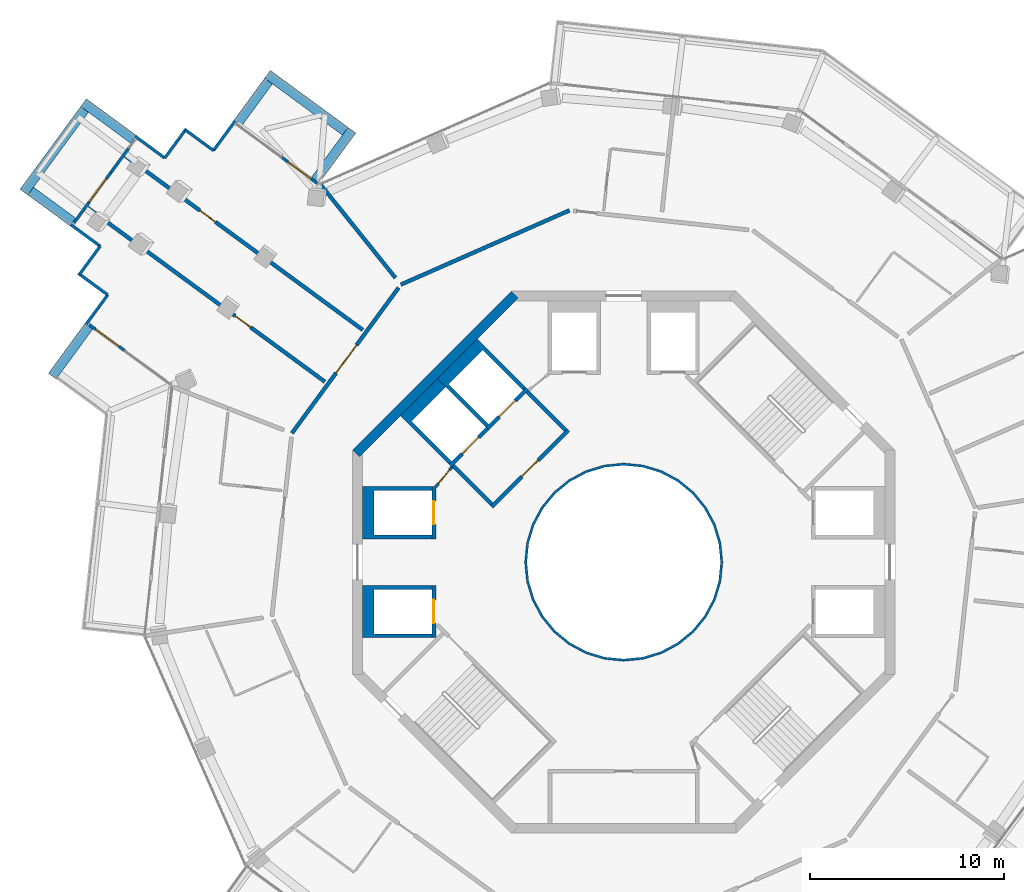
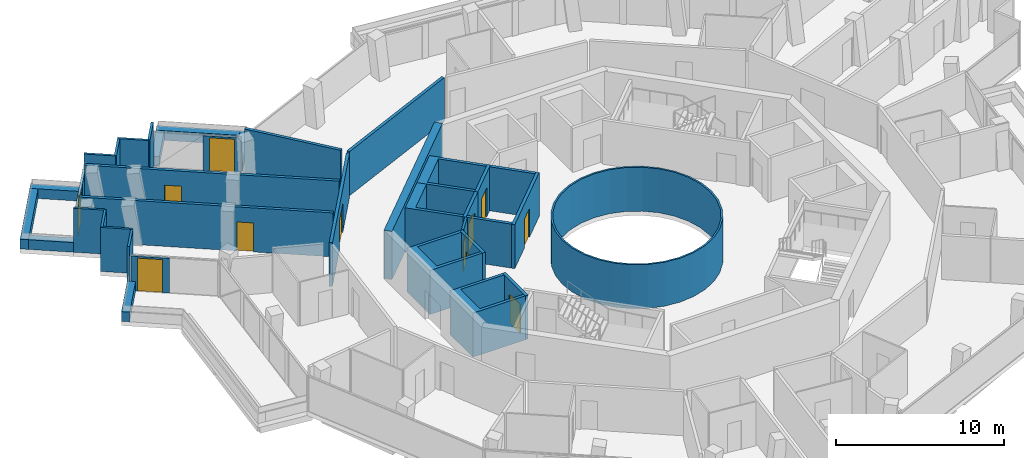
# One storey, part 17 of 22: 38 walls, 12 doors, 12 openings.
"""IFC4 building model written with IfcOpenShell, lengths in metres."""

from ifc_helpers import new_model, si_unit, direction, frame, frame_2d, origin, place, context, subcontext, project, spatial, polyline, rectangle, outline, extrude, material, layer, layer_set, type_object, element, fill, save


model = new_model("IFC4")

# Units and contexts
model_context = context("Model", 3, precision=1e-05, world=origin(), true_north=direction((0.0, 1.0)))
body_context = subcontext(model_context, "Body", "Model", "MODEL_VIEW")
ifc_project = project(units=[si_unit("LENGTHUNIT", "METRE"), si_unit("AREAUNIT", "SQUARE_METRE"), si_unit("VOLUMEUNIT", "CUBIC_METRE"), si_unit("PLANEANGLEUNIT", "RADIAN"), si_unit("MASSUNIT", "GRAM", prefix="KILO")], contexts=[model_context])

# Site, building, storey
site_placement = place(None, origin())
site = spatial("IfcSite", under=ifc_project, at=site_placement, CompositionType="ELEMENT")
building_placement = place(site_placement, origin())
building = spatial("IfcBuilding", under=site, at=building_placement, Name="Verdalira Terraces Hotel", CompositionType="ELEMENT")
storey_placement = place(building_placement, frame((0.0, 0.0, 252.5)))
storey = spatial("IfcBuildingStorey", under=building, at=storey_placement, Name="L62", CompositionType="ELEMENT", Elevation=252.5)

# Walls
ifc_material_1 = material(Name="Fire-resisting glass EI 180", Category="glass")
ifc_layer_1 = layer(ifc_material_1, 0.1201171875)
ifc_layer_set_1 = layer_set([ifc_layer_1], Name="Atrium fire screen 120 mm")
wall_type_1 = type_object("IfcWallType", Name="Atrium fire screen 120 mm", PredefinedType="SOLIDWALL", material=ifc_layer_set_1)
wall_1_placement = place(storey_placement, origin())
element("IfcWall", 1, at=wall_1_placement, inside=storey, type_object=wall_type_1, Name="Atrium fire screen", PredefinedType="SOLIDWALL", context=body_context, shape_type="SweptSolid", body=[
    extrude(outline(polyline([(5.021484, -0.998779), (4.730225, -1.959229), (4.25708, -2.844482), (3.620361, -3.620361), (2.844482, -4.25708), (1.959229, -4.730225), (0.998779, -5.021484), (0.0, -5.120117), (-0.998779, -5.021484), (-1.959229, -4.730225), (-2.844482, -4.25708), (-3.620361, -3.620361), (-4.25708, -2.844482), (-4.730225, -1.959229), (-5.021484, -0.998779), (-5.120117, 0.0), (-5.021484, 0.998779), (-4.730225, 1.959229), (-4.25708, 2.844482), (-3.620361, 3.620361), (-2.844482, 4.25708), (-1.959229, 4.730225), (-0.998779, 5.021484), (0.0, 5.120117), (0.998779, 5.021484), (1.959229, 4.730225), (2.844482, 4.25708), (3.620361, 3.620361), (4.25708, 2.844482), (4.730225, 1.959229), (5.021484, 0.998779), (5.120117, 0.0), (5.021484, -0.998779)]), holes=[polyline([(4.903809, 0.975586), (4.619385, 1.91333), (4.157227, 2.777832), (3.5354, 3.5354), (2.777832, 4.157227), (1.91333, 4.619385), (0.975586, 4.903809), (0.0, 5.0), (-0.975586, 4.903809), (-1.91333, 4.619385), (-2.777832, 4.157227), (-3.5354, 3.5354), (-4.157227, 2.777832), (-4.619385, 1.91333), (-4.903809, 0.975586), (-5.0, 0.0), (-4.903809, -0.975586), (-4.619385, -1.91333), (-4.157227, -2.777832), (-3.5354, -3.5354), (-2.777832, -4.157227), (-1.91333, -4.619385), (-0.975586, -4.903809), (0.0, -5.0), (0.975586, -4.903809), (1.91333, -4.619385), (2.777832, -4.157227), (3.5354, -3.5354), (4.157227, -2.777832), (4.619385, -1.91333), (4.903809, -0.975586), (5.0, 0.0), (4.903809, 0.975586)])]), origin(), (0.0, 0.0, 1.0), 3.189941),
])
ifc_material_2 = material(Name="Concrete C40", Category="concrete")
ifc_layer_2 = layer(ifc_material_2, 0.5)
ifc_layer_set_2 = layer_set([ifc_layer_2], Name="Balcony planter trough with tree")
wall_type_2 = type_object("IfcWallType", Name="Balcony planter trough with tree", PredefinedType="SOLIDWALL", material=ifc_layer_set_2)
wall_2_placement = place(storey_placement, frame((-25.320557, 21.844727, 0.0), z_axis=(0.0, 0.0, 1.0), x_axis=(-0.806545701, 0.591171745, 0.0)))
element("IfcWall", 2, at=wall_2_placement, inside=storey, type_object=wall_type_2, Name="Balcony planter", PredefinedType="SOLIDWALL", context=body_context, shape_type="SweptSolid", body=[
    extrude(rectangle(XDim=3.198975, YDim=0.5, at=frame_2d((1.599609, 0.0))), origin(), (0.0, 0.0, 1.0), 0.699951),
])
wall_3_placement = place(storey_placement, frame((-27.846924, 23.38623, 0.0), z_axis=(0.0, 0.0, 1.0), x_axis=(-0.591155951, -0.806557277, 0.0)))
element("IfcWall", 3, at=wall_3_placement, inside=storey, type_object=wall_type_2, Name="Balcony planter", PredefinedType="SOLIDWALL", context=body_context, shape_type="SweptSolid", body=[
    extrude(rectangle(XDim=5.299805, YDim=0.5, at=frame_2d((2.649902, 0.0))), origin(), (0.0, 0.0, 1.0), 0.699951),
])
wall_4_placement = place(storey_placement, frame((-30.630615, 19.165527, 0.0), z_axis=(0.0, 0.0, 1.0), x_axis=(0.806508512, -0.59122248, 0.0)))
element("IfcWall", 4, at=wall_4_placement, inside=storey, type_object=wall_type_2, Name="Balcony planter", PredefinedType="SOLIDWALL", context=body_context, shape_type="SweptSolid", body=[
    extrude(rectangle(XDim=2.698975, YDim=0.5, at=frame_2d((1.349609, 0.0))), origin(), (0.0, 0.0, 1.0), 0.699951),
])
for number, where, z_axis, x_axis, name in (
    (5, (-27.624268, 12.187256, 0.0), (0.0, 0.0, 1.0), (-0.591171745, -0.806545701, 0.0), "Balcony planter"),
    (6, (-15.924072, 19.731934, 0.0), (0.0, 0.0, 1.0), (0.591221389, 0.806509311, 0.0), "Balcony planter"),
):
    element("IfcWall", number, at=place(storey_placement, frame(where, z_axis=z_axis, x_axis=x_axis)), inside=storey, type_object=wall_type_2, Name=name, PredefinedType="SOLIDWALL", context=body_context, shape_type="SweptSolid", body=[
        extrude(rectangle(XDim=3.198975, YDim=0.5, at=frame_2d((1.599609, 0.0))), origin(), (0.0, 0.0, 1.0), 0.699951),
    ])
wall_5_placement = place(storey_placement, frame((-14.382324, 22.258301, 0.0), z_axis=(0.0, 0.0, 1.0), x_axis=(-0.806539101, 0.59118075, 0.0)))
element("IfcWall", 7, at=wall_5_placement, inside=storey, type_object=wall_type_2, Name="Balcony planter", PredefinedType="SOLIDWALL", context=body_context, shape_type="SweptSolid", body=[
    extrude(rectangle(XDim=4.976807, YDim=0.5, at=frame_2d((2.488281, 0.0))), origin(), (0.0, 0.0, 1.0), 0.699951),
])
wall_6_placement = place(storey_placement, frame((-18.342529, 24.85083, 0.0), z_axis=(0.0, 0.0, 1.0), x_axis=(-0.591163637, -0.806551644, 0.0)))
element("IfcWall", 8, at=wall_6_placement, inside=storey, type_object=wall_type_2, Name="Balcony planter", PredefinedType="SOLIDWALL", context=body_context, shape_type="SweptSolid", body=[
    extrude(rectangle(XDim=2.69873, YDim=0.5, at=frame_2d((1.349365, 0.0))), origin(), (0.0, 0.0, 1.0), 0.699951),
])
ifc_material_3 = material(Name="Concrete C50", Category="concrete")
ifc_layer_3 = layer(ifc_material_3, 0.199951171875)
ifc_layer_set_3 = layer_set([ifc_layer_3], Name="Core RC wall 200 C50")
wall_type_3 = type_object("IfcWallType", Name="Core RC wall 200 C50", PredefinedType="SOLIDWALL", material=ifc_layer_set_3)
wall_7_placement = place(storey_placement, origin())
element("IfcWall", 9, at=wall_7_placement, inside=storey, type_object=wall_type_3, Name="L62 shaft wall W1", PredefinedType="SOLIDWALL", context=body_context, shape_type="SweptSolid", body=[
    extrude(outline(polyline([(-13.5, 3.899902), (-9.899902, 3.899902), (-9.899902, 3.699951), (-12.899902, 3.699951), (-12.899902, 1.399902), (-9.899902, 1.399902), (-9.899902, 1.199951), (-13.5, 1.199951), (-13.5, 3.899902)])), origin(), (0.0, 0.0, 1.0), 3.189941),
])

# Wall, opening, door
wall_8_placement = place(storey_placement, frame((-9.800049, 1.199951, 0.0), z_axis=(0.0, 0.0, 1.0), x_axis=(0.0, 1.0, 0.0)))
wall_8 = element("IfcWall", 10, at=wall_8_placement, inside=storey, type_object=wall_type_3, Name="L62 shaft front wall W1", PredefinedType="SOLIDWALL", context=body_context, shape_type="SweptSolid", body=[
    extrude(rectangle(XDim=2.699951, YDim=0.199951, at=frame_2d((1.350098, 0.0))), origin(), (0.0, 0.0, 1.0), 3.189941),
])
opening_1_placement = place(wall_8_placement, frame((0.75, 0.0, 0.0)))
opening_1 = element("IfcOpeningElement", 11, at=opening_1_placement, cuts=wall_8, Name="Opening LD-L62-806", PredefinedType="OPENING", context=body_context, shape_type="SweptSolid", body=[
    extrude(rectangle(XDim=1.199951, YDim=2.100098, at=frame_2d((0.600098, 1.050049))), frame((0.0, 0.109863, 0.0), z_axis=(0.0, -1.0, 0.0), x_axis=(1.0, 0.0, 0.0)), (0.0, 0.0, 1.0), 0.219971),
])
ifc_material_4 = material(Name="Stainless steel", Category="steel")
door_type_1 = type_object("IfcDoorType", Name="Landing door 1200 x 2100", OperationType="NOTDEFINED", PredefinedType="DOOR", material=ifc_material_4)
door_1_placement = place(opening_1_placement, origin())
door_1 = element("IfcDoor", 12, at=door_1_placement, inside=storey, type_object=door_type_1, Name="Lift landing door HR5 L62", OperationType="DOUBLE_DOOR_SLIDING", OverallHeight=2.10009765625, OverallWidth=1.199951171875, PredefinedType="DOOR", context=body_context, shape_type="SweptSolid", body=[
    extrude(rectangle(XDim=1.199951, YDim=2.100098, at=frame_2d((0.600098, 1.050049))), frame((0.0, 0.024902, 0.0), z_axis=(0.0, -1.0, 0.0), x_axis=(1.0, 0.0, 0.0)), (0.0, 0.0, 1.0), 0.050049),
])
fill(opening_1, door_1)

# Wall
wall_9_placement = place(storey_placement, origin())
element("IfcWall", 13, at=wall_9_placement, inside=storey, type_object=wall_type_3, Name="L62 shaft wall W2", PredefinedType="SOLIDWALL", context=body_context, shape_type="SweptSolid", body=[
    extrude(outline(polyline([(-13.5, -3.899902), (-13.5, -1.199951), (-9.899902, -1.199951), (-9.899902, -1.399902), (-12.899902, -1.399902), (-12.899902, -3.699951), (-9.899902, -3.699951), (-9.899902, -3.899902), (-13.5, -3.899902)])), origin(), (0.0, 0.0, 1.0), 3.189941),
])

# Wall, opening, door
wall_10_placement = place(storey_placement, frame((-9.800049, -1.199951, 0.0), z_axis=(0.0, 0.0, 1.0), x_axis=(0.0, -1.0, 0.0)))
wall_10 = element("IfcWall", 14, at=wall_10_placement, inside=storey, type_object=wall_type_3, Name="L62 shaft front wall W2", PredefinedType="SOLIDWALL", context=body_context, shape_type="SweptSolid", body=[
    extrude(rectangle(XDim=2.699951, YDim=0.199951, at=frame_2d((1.350098, 0.0))), origin(), (0.0, 0.0, 1.0), 3.189941),
])
opening_2_placement = place(wall_10_placement, frame((0.75, 0.0, 0.0)))
opening_2 = element("IfcOpeningElement", 15, at=opening_2_placement, cuts=wall_10, Name="Opening LD-L62-807", PredefinedType="OPENING", context=body_context, shape_type="SweptSolid", body=[
    extrude(rectangle(XDim=1.199951, YDim=2.100098, at=frame_2d((0.600098, 1.050049))), frame((0.0, 0.109863, 0.0), z_axis=(0.0, -1.0, 0.0), x_axis=(1.0, 0.0, 0.0)), (0.0, 0.0, 1.0), 0.219971),
])
door_2_placement = place(opening_2_placement, origin())
door_2 = element("IfcDoor", 16, at=door_2_placement, inside=storey, type_object=door_type_1, Name="Lift landing door HR6 L62", OperationType="DOUBLE_DOOR_SLIDING", OverallHeight=2.10009765625, OverallWidth=1.199951171875, PredefinedType="DOOR", context=body_context, shape_type="SweptSolid", body=[
    extrude(rectangle(XDim=1.199951, YDim=2.100098, at=frame_2d((0.600098, 1.050049))), frame((0.0, 0.024902, 0.0), z_axis=(0.0, -1.0, 0.0), x_axis=(1.0, 0.0, 0.0)), (0.0, 0.0, 1.0), 0.050049),
])
fill(opening_2, door_2)

# Wall
wall_11_placement = place(storey_placement, origin())
element("IfcWall", 17, at=wall_11_placement, inside=storey, type_object=wall_type_3, Name="L62 shaft wall F1", PredefinedType="SOLIDWALL", context=body_context, shape_type="SweptSolid", body=[
    extrude(outline(polyline([(-9.616699, 9.475098), (-7.565918, 11.525879), (-5.055908, 9.015625), (-5.197266, 8.874268), (-7.283203, 10.960205), (-9.051025, 9.192383), (-6.965088, 7.106445), (-7.106445, 6.965088), (-9.616699, 9.475098)])), origin(), (0.0, 0.0, 1.0), 3.189941),
])

# Wall, opening, door
wall_12_placement = place(storey_placement, frame((-4.985107, 8.944824, 0.0), z_axis=(0.0, 0.0, 1.0), x_axis=(-0.707106781, -0.707106781, 0.0)))
wall_12 = element("IfcWall", 18, at=wall_12_placement, inside=storey, type_object=wall_type_3, Name="L62 shaft front wall F1", PredefinedType="SOLIDWALL", context=body_context, shape_type="SweptSolid", body=[
    extrude(rectangle(XDim=2.899902, YDim=0.199951, at=frame_2d((1.449951, 0.0))), origin(), (0.0, 0.0, 1.0), 3.189941),
])
opening_3_placement = place(wall_12_placement, frame((0.850098, 0.0, 0.0)))
opening_3 = element("IfcOpeningElement", 19, at=opening_3_placement, cuts=wall_12, Name="Opening LD-L62-808", PredefinedType="OPENING", context=body_context, shape_type="SweptSolid", body=[
    extrude(rectangle(XDim=1.199951, YDim=2.100098, at=frame_2d((0.600098, 1.050049))), frame((0.0, 0.109863, 0.0), z_axis=(0.0, -1.0, 0.0), x_axis=(1.0, 0.0, 0.0)), (0.0, 0.0, 1.0), 0.219971),
])
door_3_placement = place(opening_3_placement, origin())
door_3 = element("IfcDoor", 20, at=door_3_placement, inside=storey, type_object=door_type_1, Name="Lift landing door LF11 L62", OperationType="DOUBLE_DOOR_SLIDING", OverallHeight=2.10009765625, OverallWidth=1.199951171875, PredefinedType="DOOR", context=body_context, shape_type="SweptSolid", body=[
    extrude(rectangle(XDim=1.199951, YDim=2.100098, at=frame_2d((0.600098, 1.050049))), frame((0.0, 0.024902, 0.0), z_axis=(0.0, -1.0, 0.0), x_axis=(1.0, 0.0, 0.0)), (0.0, 0.0, 1.0), 0.050049),
])
fill(opening_3, door_3)

# Wall
wall_13_placement = place(storey_placement, origin())
element("IfcWall", 21, at=wall_13_placement, inside=storey, type_object=wall_type_3, Name="L62 shaft wall F2", PredefinedType="SOLIDWALL", context=body_context, shape_type="SweptSolid", body=[
    extrude(outline(polyline([(-11.525879, 7.565918), (-9.616699, 9.475098), (-9.192383, 9.051025), (-10.960205, 7.283203), (-8.874268, 5.197266), (-9.015625, 5.055908), (-11.525879, 7.565918)])), origin(), (0.0, 0.0, 1.0), 3.189941),
])

# Wall, opening, door
wall_14_placement = place(storey_placement, frame((-7.035645, 6.894287, 0.0), z_axis=(0.0, 0.0, 1.0), x_axis=(-0.707106781, -0.707106781, 0.0)))
wall_14 = element("IfcWall", 22, at=wall_14_placement, inside=storey, type_object=wall_type_3, Name="L62 shaft front wall F2", PredefinedType="SOLIDWALL", context=body_context, shape_type="SweptSolid", body=[
    extrude(rectangle(XDim=2.699951, YDim=0.199951, at=frame_2d((1.350098, 0.0))), origin(), (0.0, 0.0, 1.0), 3.189941),
])
opening_4_placement = place(wall_14_placement, frame((0.649902, 0.0, 0.0)))
opening_4 = element("IfcOpeningElement", 23, at=opening_4_placement, cuts=wall_14, Name="Opening LD-L62-809", PredefinedType="OPENING", context=body_context, shape_type="SweptSolid", body=[
    extrude(rectangle(XDim=1.199951, YDim=2.100098, at=frame_2d((0.600098, 1.050049))), frame((0.0, 0.109863, 0.0), z_axis=(0.0, -1.0, 0.0), x_axis=(1.0, 0.0, 0.0)), (0.0, 0.0, 1.0), 0.219971),
])
door_4_placement = place(opening_4_placement, origin())
door_4 = element("IfcDoor", 24, at=door_4_placement, inside=storey, type_object=door_type_1, Name="Lift landing door LF12 L62", OperationType="DOUBLE_DOOR_SLIDING", OverallHeight=2.10009765625, OverallWidth=1.199951171875, PredefinedType="DOOR", context=body_context, shape_type="SweptSolid", body=[
    extrude(rectangle(XDim=1.199951, YDim=2.100098, at=frame_2d((0.600098, 1.050049))), frame((0.0, 0.024902, 0.0), z_axis=(0.0, -1.0, 0.0), x_axis=(1.0, 0.0, 0.0)), (0.0, 0.0, 1.0), 0.050049),
])
fill(opening_4, door_4)

wall_15_placement = place(storey_placement, frame((-2.86377, 6.823486, 0.0), z_axis=(0.0, 0.0, 1.0), x_axis=(-0.707106781, -0.707106781, 0.0)))
wall_15 = element("IfcWall", 25, at=wall_15_placement, inside=storey, type_object=wall_type_3, Name="L62 fire lobby wall", PredefinedType="SOLIDWALL", context=body_context, shape_type="SweptSolid", body=[
    extrude(rectangle(XDim=5.599854, YDim=0.199951, at=frame_2d((2.799805, 0.0))), origin(), (0.0, 0.0, 1.0), 3.189941),
])
opening_5_placement = place(wall_15_placement, frame((2.199951, 0.0, 0.0)))
opening_5 = element("IfcOpeningElement", 26, at=opening_5_placement, cuts=wall_15, Name="Opening L62-819", PredefinedType="OPENING", context=body_context, shape_type="SweptSolid", body=[
    extrude(rectangle(XDim=1.199951, YDim=2.100098, at=frame_2d((0.600098, 1.050049))), frame((0.0, 0.109863, 0.0), z_axis=(0.0, -1.0, 0.0), x_axis=(1.0, 0.0, 0.0)), (0.0, 0.0, 1.0), 0.219971),
])
ifc_material_5 = material(Name="Steel fire door", Category="steel")
door_type_2 = type_object("IfcDoorType", Name="Lobby door 1200 x 2100", OperationType="NOTDEFINED", PredefinedType="DOOR", material=ifc_material_5)
door_5_placement = place(opening_5_placement, origin())
door_5 = element("IfcDoor", 27, at=door_5_placement, inside=storey, type_object=door_type_2, Name="Fire lobby door L62", OperationType="SINGLE_SWING_LEFT", OverallHeight=2.10009765625, OverallWidth=1.199951171875, PredefinedType="DOOR", context=body_context, shape_type="SweptSolid", body=[
    extrude(rectangle(XDim=1.199951, YDim=2.100098, at=frame_2d((0.600098, 1.050049))), frame((0.0, 0.024902, 0.0), z_axis=(0.0, -1.0, 0.0), x_axis=(1.0, 0.0, 0.0)), (0.0, 0.0, 1.0), 0.050049),
])
fill(opening_5, door_5)

# Walls
for number, where, z_axis, x_axis, name in (
    (28, (-3.005127, 6.823486, 0.0), (0.0, 0.0, 1.0), (-0.707106781, 0.707106781, 0.0), "L62 fire lobby wall"),
    (29, (-6.823486, 3.005127, 0.0), (0.0, 0.0, 1.0), (-0.707106781, 0.707106781, 0.0), "L62 fire lobby wall"),
):
    element("IfcWall", number, at=place(storey_placement, frame(where, z_axis=z_axis, x_axis=x_axis)), inside=storey, type_object=wall_type_3, Name=name, PredefinedType="SOLIDWALL", context=body_context, shape_type="SweptSolid", body=[
        extrude(rectangle(XDim=2.800049, YDim=0.199951, at=frame_2d((1.399902, 0.0))), origin(), (0.0, 0.0, 1.0), 3.189941),
    ])

# Wall, opening, door
ifc_material_6 = material(Name="Gypsum board partition")
ifc_layer_4 = layer(ifc_material_6, 0.14990234375)
ifc_layer_set_4 = layer_set([ifc_layer_4], Name="Core partition 150 mm")
wall_type_4 = type_object("IfcWallType", Name="Core partition 150 mm", PredefinedType="PARTITIONING", material=ifc_layer_set_4)
wall_16_placement = place(storey_placement, frame((-8.874268, 4.914307, 0.0), z_axis=(0.0, 0.0, 1.0), x_axis=(-0.631274009, -0.775559878, 0.0)))
wall_16 = element("IfcWall", 30, at=wall_16_placement, inside=storey, type_object=wall_type_4, Name="Room partition L62", PredefinedType="PARTITIONING", context=body_context, shape_type="SweptSolid", body=[
    extrude(rectangle(XDim=1.307861, YDim=0.149902, at=frame_2d((0.653809, 0.0))), origin(), (0.0, 0.0, 1.0), 3.189941),
])
opening_6_placement = place(wall_16_placement, frame((0.204102, 0.0, 0.0)))
opening_6 = element("IfcOpeningElement", 31, at=opening_6_placement, cuts=wall_16, Name="Opening L62-821", PredefinedType="OPENING", context=body_context, shape_type="SweptSolid", body=[
    extrude(rectangle(XDim=0.899902, YDim=2.100098, at=frame_2d((0.449951, 1.050049))), frame((0.0, 0.084961, 0.0), z_axis=(0.0, -1.0, 0.0), x_axis=(1.0, 0.0, 0.0)), (0.0, 0.0, 1.0), 0.169922),
])
ifc_material_7 = material(Name="Steel fire door", Category="steel")
door_type_3 = type_object("IfcDoorType", Name="Core room door 900 x 2100", OperationType="NOTDEFINED", PredefinedType="DOOR", material=ifc_material_7)
door_6_placement = place(opening_6_placement, origin())
door_6 = element("IfcDoor", 32, at=door_6_placement, inside=storey, type_object=door_type_3, Name="Door L62 room3", OperationType="SINGLE_SWING_LEFT", OverallHeight=2.10009765625, OverallWidth=0.89990234375, PredefinedType="DOOR", context=body_context, shape_type="SweptSolid", body=[
    extrude(rectangle(XDim=0.899902, YDim=2.100098, at=frame_2d((0.449951, 1.050049))), frame((0.0, 0.024902, 0.0), z_axis=(0.0, -1.0, 0.0), x_axis=(1.0, 0.0, 0.0)), (0.0, 0.0, 1.0), 0.050049),
])
fill(opening_6, door_6)

# Wall
ifc_material_8 = material(Name="Concrete C50", Category="concrete")
ifc_layer_5 = layer(ifc_material_8, 0.5)
ifc_layer_set_5 = layer_set([ifc_layer_5], Name="Core wall 500 C50")
wall_type_5 = type_object("IfcWallType", Name="Core wall 500 C50", PredefinedType="SHEAR", material=ifc_layer_set_5)
wall_17_placement = place(storey_placement, frame((-5.622314, 13.823242, 0.0), z_axis=(0.0, 0.0, 1.0), x_axis=(-0.707106781, -0.707106781, 0.0)))
element("IfcWall", 33, at=wall_17_placement, inside=storey, type_object=wall_type_5, Name="Core wall CW-L62-4", PredefinedType="SHEAR", context=body_context, shape_type="SweptSolid", body=[
    extrude(rectangle(XDim=11.5979, YDim=0.5, at=frame_2d((5.798828, 0.0))), origin(), (0.0, 0.0, 1.0), 3.5),
])

# Wall, opening, door
ifc_material_9 = material(Name="Fire-rated gypsum board wall")
ifc_layer_6 = layer(ifc_material_9, 0.199951171875)
ifc_layer_set_6 = layer_set([ifc_layer_6], Name="Demising wall 200 mm")
wall_type_6 = type_object("IfcWallType", Name="Demising wall 200 mm", PredefinedType="SOLIDWALL", material=ifc_layer_set_6)
wall_18_placement = place(storey_placement, frame((-15.434814, 9.31958, 0.0), z_axis=(0.0, 0.0, 1.0), x_axis=(-0.806554833, 0.591159286, 0.0)))
wall_18 = element("IfcWall", 34, at=wall_18_placement, inside=storey, type_object=wall_type_6, Name="Demising wall", PredefinedType="SOLIDWALL", context=body_context, shape_type="SweptSolid", body=[
    extrude(rectangle(XDim=15.226807, YDim=0.199951, at=frame_2d((7.613281, 0.0))), origin(), (0.0, 0.0, 1.0), 3.189941),
])
opening_7_placement = place(wall_18_placement, frame((4.75, 0.0, 0.0)))
opening_7 = element("IfcOpeningElement", 35, at=opening_7_placement, cuts=wall_18, Name="Opening L62-103", PredefinedType="OPENING", context=body_context, shape_type="SweptSolid", body=[
    extrude(rectangle(XDim=1.0, YDim=2.100098, at=frame_2d((0.5, 1.050049))), frame((0.0, 0.109863, 0.0), z_axis=(0.0, -1.0, 0.0), x_axis=(1.0, 0.0, 0.0)), (0.0, 0.0, 1.0), 0.219971),
])
ifc_material_10 = material(Name="Timber fire door", Category="wood")
door_type_4 = type_object("IfcDoorType", Name="Public room door 1000 x 2100", OperationType="NOTDEFINED", PredefinedType="DOOR", material=ifc_material_10)
door_7_placement = place(opening_7_placement, origin())
door_7 = element("IfcDoor", 36, at=door_7_placement, inside=storey, type_object=door_type_4, Name="Public room door 6201", OperationType="SINGLE_SWING_LEFT", OverallHeight=2.10009765625, OverallWidth=1.0, PredefinedType="DOOR", context=body_context, shape_type="SweptSolid", body=[
    extrude(rectangle(XDim=1.0, YDim=2.100098, at=frame_2d((0.5, 1.050049))), frame((0.0, 0.024902, 0.0), z_axis=(0.0, -1.0, 0.0), x_axis=(1.0, 0.0, 0.0)), (0.0, 0.0, 1.0), 0.050049),
])
fill(opening_7, door_7)

wall_19_placement = place(storey_placement, frame((-25.756348, 20.994629, 0.0), z_axis=(0.0, 0.0, 1.0), x_axis=(0.806541585, -0.591177361, 0.0)))
wall_19 = element("IfcWall", 37, at=wall_19_placement, inside=storey, type_object=wall_type_6, Name="Demising wall", PredefinedType="SOLIDWALL", context=body_context, shape_type="SweptSolid", body=[
    extrude(rectangle(XDim=15.226807, YDim=0.199951, at=frame_2d((7.613281, 0.0))), origin(), (0.0, 0.0, 1.0), 3.189941),
])
opening_8_placement = place(wall_19_placement, frame((4.800049, 0.0, 0.0)))
opening_8 = element("IfcOpeningElement", 38, at=opening_8_placement, cuts=wall_19, Name="Opening L62-102", PredefinedType="OPENING", context=body_context, shape_type="SweptSolid", body=[
    extrude(rectangle(XDim=1.0, YDim=2.100098, at=frame_2d((0.5, 1.050049))), frame((0.0, 0.109863, 0.0), z_axis=(0.0, -1.0, 0.0), x_axis=(1.0, 0.0, 0.0)), (0.0, 0.0, 1.0), 0.219971),
])
door_8_placement = place(opening_8_placement, origin())
door_8 = element("IfcDoor", 39, at=door_8_placement, inside=storey, type_object=door_type_4, Name="Public room door 6201", OperationType="SINGLE_SWING_LEFT", OverallHeight=2.10009765625, OverallWidth=1.0, PredefinedType="DOOR", context=body_context, shape_type="SweptSolid", body=[
    extrude(rectangle(XDim=1.0, YDim=2.100098, at=frame_2d((0.5, 1.050049))), frame((0.0, 0.024902, 0.0), z_axis=(0.0, -1.0, 0.0), x_axis=(1.0, 0.0, 0.0)), (0.0, 0.0, 1.0), 0.050049),
])
fill(opening_8, door_8)

# Wall
wall_20_placement = place(storey_placement, frame((-15.628906, 19.466309, 0.0), z_axis=(0.0, 0.0, 1.0), x_axis=(0.626077852, -0.779760555, 0.0)))
element("IfcWall", 40, at=wall_20_placement, inside=storey, type_object=wall_type_6, Name="Demising wall", PredefinedType="SOLIDWALL", context=body_context, shape_type="SweptSolid", body=[
    extrude(rectangle(XDim=6.13208, YDim=0.199951, at=frame_2d((3.065918, 0.0))), origin(), (0.0, 0.0, 1.0), 3.189941),
])

# Wall, opening, door
ifc_material_11 = material(Name="Fire-rated gypsum board wall")
ifc_layer_7 = layer(ifc_material_11, 0.199951171875)
ifc_layer_set_7 = layer_set([ifc_layer_7], Name="Guest corridor wall 200 mm")
wall_type_7 = type_object("IfcWallType", Name="Guest corridor wall 200 mm", PredefinedType="SOLIDWALL", material=ifc_layer_set_7)
wall_21_placement = place(storey_placement, frame((-17.135986, 6.6604, 0.0), z_axis=(0.0, 0.0, 1.0), x_axis=(0.591171658, 0.806545765, 0.0)))
wall_21 = element("IfcWall", 41, at=wall_21_placement, inside=storey, type_object=wall_type_7, Name="Guest corridor wall", PredefinedType="SOLIDWALL", context=body_context, shape_type="SweptSolid", body=[
    extrude(rectangle(XDim=9.316895, YDim=0.199951, at=frame_2d((4.658447, 0.0))), origin(), (0.0, 0.0, 1.0), 3.189941),
])
opening_9_placement = place(wall_21_placement, frame((3.850342, 0.0, 0.0)))
opening_9 = element("IfcOpeningElement", 42, at=opening_9_placement, cuts=wall_21, Name="Opening L62-101", PredefinedType="OPENING", context=body_context, shape_type="SweptSolid", body=[
    extrude(rectangle(XDim=1.800049, YDim=2.100098, at=frame_2d((0.899902, 1.050049))), frame((0.0, 0.109863, 0.0), z_axis=(0.0, -1.0, 0.0), x_axis=(1.0, 0.0, 0.0)), (0.0, 0.0, 1.0), 0.219971),
])
ifc_material_12 = material(Name="Timber fire door", Category="wood")
door_type_5 = type_object("IfcDoorType", Name="Public room double door 1800 x 2100", OperationType="NOTDEFINED", PredefinedType="DOOR", material=ifc_material_12)
door_9_placement = place(opening_9_placement, origin())
door_9 = element("IfcDoor", 43, at=door_9_placement, inside=storey, type_object=door_type_5, Name="Public room double door 6201", OperationType="DOUBLE_DOOR_SINGLE_SWING", OverallHeight=2.10009765625, OverallWidth=1.800048828125, PredefinedType="DOOR", context=body_context, shape_type="SweptSolid", body=[
    extrude(rectangle(XDim=1.800049, YDim=2.100098, at=frame_2d((0.899902, 1.050049))), frame((0.0, 0.024902, 0.0), z_axis=(0.0, -1.0, 0.0), x_axis=(1.0, 0.0, 0.0)), (0.0, 0.0, 1.0), 0.050049),
])
fill(opening_9, door_9)

# Walls
wall_22_placement = place(storey_placement, frame((-2.800293, 18.170166, 0.0), z_axis=(0.0, 0.0, 1.0), x_axis=(-0.915239358, -0.402910557, 0.0)))
element("IfcWall", 44, at=wall_22_placement, inside=storey, type_object=wall_type_7, Name="Guest corridor wall", PredefinedType="SOLIDWALL", context=body_context, shape_type="SweptSolid", body=[
    extrude(rectangle(XDim=9.516357, YDim=0.199951, at=frame_2d((4.758301, 0.0))), origin(), (0.0, 0.0, 1.0), 3.189941),
])
ifc_material_13 = material(Name="Terracotta cladding", Category="masonry")
ifc_layer_8 = layer(ifc_material_13, 0.14990234375)
ifc_layer_set_8 = layer_set([ifc_layer_8], Name="Terracotta clad wall 150")
wall_type_8 = type_object("IfcWallType", Name="Terracotta clad wall 150", PredefinedType="SOLIDWALL", material=ifc_layer_set_8)
wall_23_placement = place(storey_placement, frame((-20.07959, 22.776611, 0.0), z_axis=(0.0, 0.0, 1.0), x_axis=(-0.591256409, -0.806483638, 0.0)))
element("IfcWall", 45, at=wall_23_placement, inside=storey, type_object=wall_type_8, Name="Terracotta cladding wall", PredefinedType="SOLIDWALL", context=body_context, shape_type="SweptSolid", body=[
    extrude(rectangle(XDim=1.875, YDim=0.149902, at=frame_2d((0.9375, 0.0))), origin(), (0.0, 0.0, 1.0), 3.189941),
])
wall_24_placement = place(storey_placement, frame((-21.188232, 21.264404, 0.0), z_axis=(0.0, 0.0, 1.0), x_axis=(-0.806495542, 0.591240172, 0.0)))
element("IfcWall", 46, at=wall_24_placement, inside=storey, type_object=wall_type_8, Name="Terracotta cladding wall", PredefinedType="SOLIDWALL", context=body_context, shape_type="SweptSolid", body=[
    extrude(rectangle(XDim=1.800049, YDim=0.149902, at=frame_2d((0.899902, 0.0))), origin(), (0.0, 0.0, 1.0), 3.189941),
])
for number, where, z_axis, x_axis, name in (
    (47, (-22.595703, 22.388916, 0.0), (0.0, 0.0, 1.0), (-0.591171713, -0.806545725, 0.0), "Terracotta cladding wall"),
    (48, (-23.704102, 20.876709, 0.0), (0.0, 0.0, 1.0), (-0.806545725, 0.591171713, 0.0), "Terracotta cladding wall"),
    (49, (-28.556396, 17.428223, 0.0), (0.0, 0.0, 1.0), (0.806545725, -0.591171713, 0.0), "Terracotta cladding wall"),
):
    element("IfcWall", number, at=place(storey_placement, frame(where, z_axis=z_axis, x_axis=x_axis)), inside=storey, type_object=wall_type_8, Name=name, PredefinedType="SOLIDWALL", context=body_context, shape_type="SweptSolid", body=[
        extrude(rectangle(XDim=1.875, YDim=0.149902, at=frame_2d((0.9375, 0.0))), origin(), (0.0, 0.0, 1.0), 3.189941),
    ])
wall_25_placement = place(storey_placement, frame((-27.044189, 16.319824, 0.0), z_axis=(0.0, 0.0, 1.0), x_axis=(-0.591087267, -0.806607614, 0.0)))
element("IfcWall", 50, at=wall_25_placement, inside=storey, type_object=wall_type_8, Name="Terracotta cladding wall", PredefinedType="SOLIDWALL", context=body_context, shape_type="SweptSolid", body=[
    extrude(rectangle(XDim=1.800049, YDim=0.149902, at=frame_2d((0.899902, 0.0))), origin(), (0.0, 0.0, 1.0), 3.189941),
])
for number, where, z_axis, x_axis, name in (
    (51, (-28.168701, 14.912354, 0.0), (0.0, 0.0, 1.0), (0.806545725, -0.591171713, 0.0), "Terracotta cladding wall"),
    (52, (-26.656494, 13.803955, 0.0), (0.0, 0.0, 1.0), (-0.591109631, -0.806591225, 0.0), "Terracotta cladding wall"),
):
    element("IfcWall", number, at=place(storey_placement, frame(where, z_axis=z_axis, x_axis=x_axis)), inside=storey, type_object=wall_type_8, Name=name, PredefinedType="SOLIDWALL", context=body_context, shape_type="SweptSolid", body=[
        extrude(rectangle(XDim=1.875, YDim=0.149902, at=frame_2d((0.9375, 0.0))), origin(), (0.0, 0.0, 1.0), 3.189941),
    ])
ifc_material_14 = material(Name="Terracotta cladding", Category="masonry")
ifc_layer_9 = layer(ifc_material_14, 0.14990234375)
ifc_layer_set_9 = layer_set([ifc_layer_9], Name="Terracotta column pier 150")
wall_type_9 = type_object("IfcWallType", Name="Terracotta column pier 150", PredefinedType="SOLIDWALL", material=ifc_layer_set_9)
wall_26_placement = place(storey_placement, frame((-25.549072, 21.404541, 0.0), z_axis=(0.0, 0.0, 1.0), x_axis=(-0.591080479, -0.806612588, 0.0)))
element("IfcWall", 53, at=wall_26_placement, inside=storey, type_object=wall_type_9, Name="Terracotta column pier", PredefinedType="SOLIDWALL", context=body_context, shape_type="SweptSolid", body=[
    extrude(rectangle(XDim=1.570068, YDim=0.149902, at=frame_2d((0.785156, 0.0))), origin(), (0.0, 0.0, 1.0), 2.524902),
])

# Wall, opening, door
ifc_material_15 = material(Name="Terracotta cladding", Category="masonry")
ifc_layer_10 = layer(ifc_material_15, 0.14990234375)
ifc_layer_set_10 = layer_set([ifc_layer_10], Name="Terracotta door pier 150")
wall_type_10 = type_object("IfcWallType", Name="Terracotta door pier 150", PredefinedType="SOLIDWALL", material=ifc_layer_set_10)
wall_27_placement = place(storey_placement, frame((-15.82373, 19.564209, 0.0), z_axis=(0.0, 0.0, 1.0), x_axis=(-0.806550088, 0.59116576, 0.0)))
wall_27 = element("IfcWall", 54, at=wall_27_placement, inside=storey, type_object=wall_type_10, Name="Terracotta door pier", PredefinedType="SOLIDWALL", context=body_context, shape_type="SweptSolid", body=[
    extrude(rectangle(XDim=2.299805, YDim=0.149902, at=frame_2d((1.149902, 0.0))), origin(), (0.0, 0.0, 1.0), 2.524902),
])
opening_10_placement = place(wall_27_placement, frame((0.399902, 0.0, 0.0)))
opening_10 = element("IfcOpeningElement", 55, at=opening_10_placement, cuts=wall_27, Name="Opening L62-B01", PredefinedType="OPENING", context=body_context, shape_type="SweptSolid", body=[
    extrude(rectangle(XDim=1.5, YDim=2.399902, at=frame_2d((0.75, 1.199951))), frame((0.0, 0.084961, 0.0), z_axis=(0.0, -1.0, 0.0), x_axis=(1.0, 0.0, 0.0)), (0.0, 0.0, 1.0), 0.169922),
])
ifc_material_16 = material(Name="Clear glass", Category="glass")
door_type_6 = type_object("IfcDoorType", Name="Balcony sliding door 1500x2400", OperationType="NOTDEFINED", PredefinedType="DOOR", material=ifc_material_16)
door_10_placement = place(opening_10_placement, origin())
door_10 = element("IfcDoor", 56, at=door_10_placement, inside=storey, type_object=door_type_6, Name="Balcony sliding door", OperationType="SLIDING_TO_LEFT", OverallHeight=2.39990234375, OverallWidth=1.5, PredefinedType="DOOR", context=body_context, shape_type="SweptSolid", body=[
    extrude(rectangle(XDim=1.5, YDim=2.399902, at=frame_2d((0.75, 1.199951))), frame((0.0, 0.024902, 0.0), z_axis=(0.0, -1.0, 0.0), x_axis=(1.0, 0.0, 0.0)), (0.0, 0.0, 1.0), 0.050049),
])
fill(opening_10, door_10)

wall_28_placement = place(storey_placement, frame((-26.477051, 20.138184, 0.0), z_axis=(0.0, 0.0, 1.0), x_axis=(-0.59116885, -0.806547823, 0.0)))
wall_28 = element("IfcWall", 57, at=wall_28_placement, inside=storey, type_object=wall_type_10, Name="Terracotta door pier", PredefinedType="SOLIDWALL", context=body_context, shape_type="SweptSolid", body=[
    extrude(rectangle(XDim=3.26001, YDim=0.149902, at=frame_2d((1.629883, 0.0))), origin(), (0.0, 0.0, 1.0), 2.524902),
])
opening_11_placement = place(wall_28_placement, frame((0.399902, 0.0, 0.0)))
opening_11 = element("IfcOpeningElement", 58, at=opening_11_placement, cuts=wall_28, Name="Opening L62-B02", PredefinedType="OPENING", context=body_context, shape_type="SweptSolid", body=[
    extrude(rectangle(XDim=1.5, YDim=2.399902, at=frame_2d((0.75, 1.199951))), frame((0.0, 0.084961, 0.0), z_axis=(0.0, -1.0, 0.0), x_axis=(1.0, 0.0, 0.0)), (0.0, 0.0, 1.0), 0.169922),
])
door_11_placement = place(opening_11_placement, origin())
door_11 = element("IfcDoor", 59, at=door_11_placement, inside=storey, type_object=door_type_6, Name="Balcony sliding door", OperationType="SLIDING_TO_RIGHT", OverallHeight=2.39990234375, OverallWidth=1.5, PredefinedType="DOOR", context=body_context, shape_type="SweptSolid", body=[
    extrude(rectangle(XDim=1.5, YDim=2.399902, at=frame_2d((0.75, 1.199951))), frame((0.0, 0.024902, 0.0), z_axis=(0.0, -1.0, 0.0), x_axis=(1.0, 0.0, 0.0)), (0.0, 0.0, 1.0), 0.050049),
])
fill(opening_11, door_11)

wall_29_placement = place(storey_placement, frame((-27.603516, 12.266357, 0.0), z_axis=(0.0, 0.0, 1.0), x_axis=(0.806550088, -0.59116576, 0.0)))
wall_29 = element("IfcWall", 60, at=wall_29_placement, inside=storey, type_object=wall_type_10, Name="Terracotta door pier", PredefinedType="SOLIDWALL", context=body_context, shape_type="SweptSolid", body=[
    extrude(rectangle(XDim=2.299805, YDim=0.149902, at=frame_2d((1.149902, 0.0))), origin(), (0.0, 0.0, 1.0), 2.524902),
])
opening_12_placement = place(wall_29_placement, frame((0.399902, 0.0, 0.0)))
opening_12 = element("IfcOpeningElement", 61, at=opening_12_placement, cuts=wall_29, Name="Opening L62-B03", PredefinedType="OPENING", context=body_context, shape_type="SweptSolid", body=[
    extrude(rectangle(XDim=1.5, YDim=2.399902, at=frame_2d((0.75, 1.199951))), frame((0.0, 0.084961, 0.0), z_axis=(0.0, -1.0, 0.0), x_axis=(1.0, 0.0, 0.0)), (0.0, 0.0, 1.0), 0.169922),
])
door_12_placement = place(opening_12_placement, origin())
door_12 = element("IfcDoor", 62, at=door_12_placement, inside=storey, type_object=door_type_6, Name="Balcony sliding door", OperationType="SLIDING_TO_LEFT", OverallHeight=2.39990234375, OverallWidth=1.5, PredefinedType="DOOR", context=body_context, shape_type="SweptSolid", body=[
    extrude(rectangle(XDim=1.5, YDim=2.399902, at=frame_2d((0.75, 1.199951))), frame((0.0, 0.024902, 0.0), z_axis=(0.0, -1.0, 0.0), x_axis=(1.0, 0.0, 0.0)), (0.0, 0.0, 1.0), 0.050049),
])
fill(opening_12, door_12)

save(model, "model.ifc")
